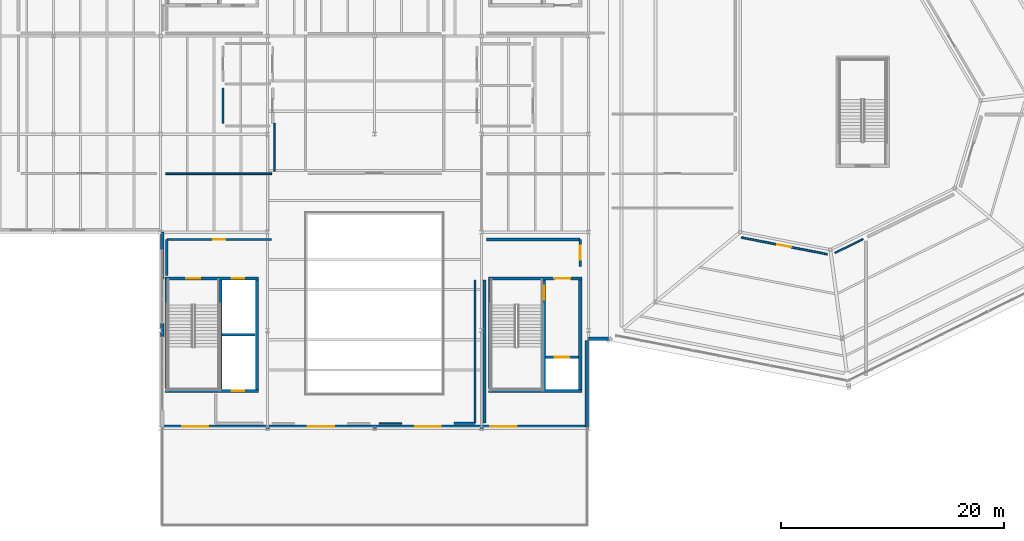
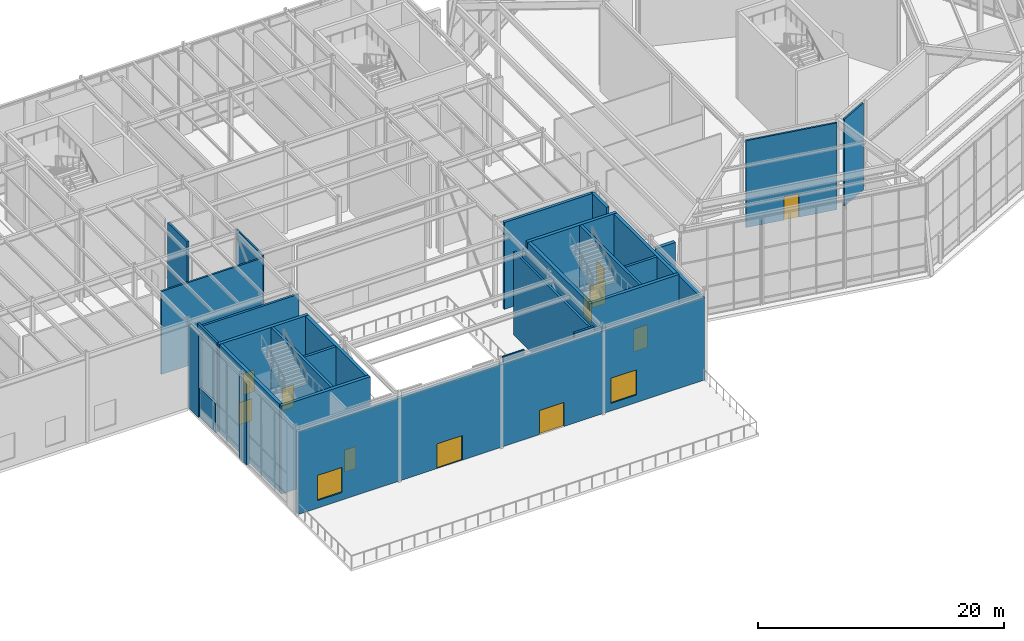
# One storey, part 36 of 48: 31 walls, 11 doors, 2 windows, 13 openings.
"""IFC4 building model written with IfcOpenShell, lengths in metres."""

from ifc_helpers import new_model, si_unit, direction, frame, frame_2d, origin, place, context, subcontext, project, spatial, rectangle, extrude, material, layer, layer_set, type_object, element, fill, save


model = new_model("IFC4")

# Units and contexts
model_context = context("Model", 3, precision=1e-05, world=origin(), true_north=direction((0.0, 1.0)))
body_context = subcontext(model_context, "Body", "Model", "MODEL_VIEW")
ifc_project = project(units=[si_unit("LENGTHUNIT", "METRE"), si_unit("AREAUNIT", "SQUARE_METRE"), si_unit("VOLUMEUNIT", "CUBIC_METRE"), si_unit("PLANEANGLEUNIT", "RADIAN"), si_unit("MASSUNIT", "GRAM", prefix="KILO")], contexts=[model_context])

# Site, building, storey
site_placement = place(None, origin())
site = spatial("IfcSite", under=ifc_project, at=site_placement, CompositionType="ELEMENT")
building_placement = place(site_placement, origin())
building = spatial("IfcBuilding", under=site, at=building_placement, Name="Sarnbrook Museum", CompositionType="ELEMENT")
storey_placement = place(building_placement, frame((0.0, 0.0, 19.10009765625)))
storey = spatial("IfcBuildingStorey", under=building, at=storey_placement, Name="L04", CompositionType="ELEMENT", Elevation=19.10009765625)

# Wall
ifc_material_1 = material(Name="Concrete N50 (AS 3600, f'c = 50 MPa)", Category="concrete")
ifc_layer_1 = layer(ifc_material_1, 0.300048828125)
ifc_layer_set_1 = layer_set([ifc_layer_1], Name="Concrete N50 (AS 3600, f'c = 50 MPa)")
wall_type_1 = type_object("IfcWallType", Name="CoreWall_CWRC", PredefinedType="SHEAR", material=ifc_layer_set_1)
wall_1_placement = place(storey_placement, frame((110.199951171875, 60.14990234375, 0.0), z_axis=(0.0, 0.0, 1.0), x_axis=(1.0, 0.0, 0.0)))
element("IfcWall", 1, at=wall_1_placement, inside=storey, type_object=wall_type_1, Name="Core C1 Shear Wall S L04", PredefinedType="SHEAR", context=body_context, shape_type="SweptSolid", body=[
    extrude(rectangle(XDim=8.400146484375, YDim=0.300048828125, at=frame_2d((4.2001953125, 0.0))), origin(), (0.0, 0.0, 1.0), 8.744873046875),
])

# Wall, opening, door
wall_2_placement = place(storey_placement, frame((118.60009765625, 70.25, 0.0), z_axis=(0.0, 0.0, 1.0), x_axis=(-1.0, 0.0, 0.0)))
wall_2 = element("IfcWall", 2, at=wall_2_placement, inside=storey, type_object=wall_type_1, Name="Core C1 Shear Wall N L04", PredefinedType="SHEAR", context=body_context, shape_type="SweptSolid", body=[
    extrude(rectangle(XDim=8.400146484375, YDim=0.300048828125, at=frame_2d((4.2001953125, 0.0))), origin(), (0.0, 0.0, 1.0), 8.744873046875),
])
opening_1_placement = place(wall_2_placement, frame((1.02490234375, 0.0, 0.0)))
opening_1 = element("IfcOpeningElement", 3, at=opening_1_placement, cuts=wall_2, Name="Opening D-LOB-C1-L04", PredefinedType="OPENING", context=body_context, shape_type="SweptSolid", body=[
    extrude(rectangle(XDim=1.449951171875, YDim=2.25, at=frame_2d((0.72509765625, 1.125))), frame((0.0, 0.16015625, 0.0), z_axis=(0.0, -1.0, 0.0), x_axis=(1.0, 0.0, 0.0)), (0.0, 0.0, 1.0), 0.320068359375),
])
ifc_material_2 = material(Name="Tasmanian Oak Acoustic Timber", Category="wood")
door_type_1 = type_object("IfcDoorType", Name="FireDoor_FD120W", OperationType="NOTDEFINED", PredefinedType="DOOR", material=ifc_material_2)
door_1_placement = place(opening_1_placement, origin())
door_1 = element("IfcDoor", 4, at=door_1_placement, inside=storey, type_object=door_type_1, Name="Core C1 Fire Lobby Entry Door L04", OperationType="SINGLE_SWING_RIGHT", OverallHeight=2.25, OverallWidth=1.449951171875, PredefinedType="DOOR", context=body_context, shape_type="SweptSolid", body=[
    extrude(rectangle(XDim=1.449951171875, YDim=2.25, at=frame_2d((0.72509765625, 1.125))), frame((0.0, 0.02490234375, 0.0), z_axis=(0.0, -1.0, 0.0), x_axis=(1.0, 0.0, 0.0)), (0.0, 0.0, 1.0), 0.050048828125),
])
fill(opening_1, door_1)

# Walls
for number, where, z_axis, x_axis, name in (
    (5, (118.449951171875, 60.31005859375, 0.0), (0.0, 0.0, 1.0), (0.0, 1.0, 0.0), "Core C1 Shear Wall E L04"),
    (6, (110.35009765625, 70.090087890625, 0.0), (0.0, 0.0, 1.0), (0.0, -1.0, 0.0), "Core C1 Shear Wall W L04"),
):
    element("IfcWall", number, at=place(storey_placement, frame(where, z_axis=z_axis, x_axis=x_axis)), inside=storey, type_object=wall_type_1, Name=name, PredefinedType="SHEAR", context=body_context, shape_type="SweptSolid", body=[
        extrude(rectangle(XDim=9.780029296875, YDim=0.300048828125, at=frame_2d((4.89013671875, 0.0))), origin(), (0.0, 0.0, 1.0), 8.744873046875),
    ])

# Wall, opening, door
wall_3_placement = place(storey_placement, frame((81.199951171875, 60.14990234375, 0.0), z_axis=(0.0, 0.0, 1.0), x_axis=(1.0, 0.0, 0.0)))
wall_3 = element("IfcWall", 7, at=wall_3_placement, inside=storey, type_object=wall_type_1, Name="Core C3 Shear Wall S L04", PredefinedType="SHEAR", context=body_context, shape_type="SweptSolid", body=[
    extrude(rectangle(XDim=8.400146484375, YDim=0.300048828125, at=frame_2d((4.2001953125, 0.0))), origin(), (0.0, 0.0, 1.0), 8.744873046875),
])
opening_2_placement = place(wall_3_placement, frame((6.0, 0.0, 0.0)))
opening_2 = element("IfcOpeningElement", 8, at=opening_2_placement, cuts=wall_3, Name="Opening LD-PL1-L04", PredefinedType="OPENING", context=body_context, shape_type="SweptSolid", body=[
    extrude(rectangle(XDim=1.10009765625, YDim=2.199951171875, at=frame_2d((0.550048828125, 1.10009765625))), frame((0.0, 0.16015625, 0.0), z_axis=(0.0, -1.0, 0.0), x_axis=(1.0, 0.0, 0.0)), (0.0, 0.0, 1.0), 0.320068359375),
])
ifc_material_3 = material(Name="Brushed Stainless Steel Grade 316", Category="steel")
door_type_2 = type_object("IfcDoorType", Name="LiftDoor_Pax110", OperationType="DOUBLE_DOOR_SLIDING", PredefinedType="DOOR", material=ifc_material_3)
door_2_placement = place(opening_2_placement, origin())
door_2 = element("IfcDoor", 9, at=door_2_placement, inside=storey, type_object=door_type_2, Name="Lift Landing Sliding Door LD-PL1-L04", OperationType="DOUBLE_DOOR_SLIDING", OverallHeight=2.199951171875, OverallWidth=1.10009765625, PredefinedType="DOOR", context=body_context, shape_type="SweptSolid", body=[
    extrude(rectangle(XDim=1.10009765625, YDim=2.199951171875, at=frame_2d((0.550048828125, 1.10009765625))), frame((0.0, 0.02490234375, 0.0), z_axis=(0.0, -1.0, 0.0), x_axis=(1.0, 0.0, 0.0)), (0.0, 0.0, 1.0), 0.050048828125),
])
fill(opening_2, door_2)

# Wall, openings, doors
wall_4_placement = place(storey_placement, frame((89.60009765625, 70.25, 0.0), z_axis=(0.0, 0.0, 1.0), x_axis=(-1.0, 0.0, 0.0)))
wall_4 = element("IfcWall", 10, at=wall_4_placement, inside=storey, type_object=wall_type_1, Name="Core C3 Shear Wall N L04", PredefinedType="SHEAR", context=body_context, shape_type="SweptSolid", body=[
    extrude(rectangle(XDim=8.400146484375, YDim=0.300048828125, at=frame_2d((4.2001953125, 0.0))), origin(), (0.0, 0.0, 1.0), 8.744873046875),
])
opening_3_placement = place(wall_4_placement, frame((5.22509765625, 0.0, 0.0)))
opening_3 = element("IfcOpeningElement", 11, at=opening_3_placement, cuts=wall_4, Name="Opening D-ST-ST3-L04", PredefinedType="OPENING", context=body_context, shape_type="SweptSolid", body=[
    extrude(rectangle(XDim=1.25, YDim=2.199951171875, at=frame_2d((0.625, 1.10009765625))), frame((0.0, 0.16015625, 0.0), z_axis=(0.0, -1.0, 0.0), x_axis=(1.0, 0.0, 0.0)), (0.0, 0.0, 1.0), 0.320068359375),
])
opening_4_placement = place(wall_4_placement, frame((1.300048828125, 0.0, 0.0)))
opening_4 = element("IfcOpeningElement", 12, at=opening_4_placement, cuts=wall_4, Name="Opening LD-PL2-L04", PredefinedType="OPENING", context=body_context, shape_type="SweptSolid", body=[
    extrude(rectangle(XDim=1.10009765625, YDim=2.199951171875, at=frame_2d((0.550048828125, 1.10009765625))), frame((0.0, 0.16015625, 0.0), z_axis=(0.0, -1.0, 0.0), x_axis=(1.0, 0.0, 0.0)), (0.0, 0.0, 1.0), 0.320068359375),
])
door_type_3 = type_object("IfcDoorType", Name="FireDoor_FD120", OperationType="NOTDEFINED", PredefinedType="DOOR", material=ifc_material_2)
door_3_placement = place(opening_3_placement, origin())
door_3 = element("IfcDoor", 13, at=door_3_placement, inside=storey, type_object=door_type_3, Name="Exit Stair ST3 Fire Door L04", OperationType="SINGLE_SWING_LEFT", OverallHeight=2.199951171875, OverallWidth=1.25, PredefinedType="DOOR", context=body_context, shape_type="SweptSolid", body=[
    extrude(rectangle(XDim=1.25, YDim=2.199951171875, at=frame_2d((0.625, 1.10009765625))), frame((0.0, 0.02490234375, 0.0), z_axis=(0.0, -1.0, 0.0), x_axis=(1.0, 0.0, 0.0)), (0.0, 0.0, 1.0), 0.050048828125),
])
fill(opening_3, door_3)
door_4_placement = place(opening_4_placement, origin())
door_4 = element("IfcDoor", 14, at=door_4_placement, inside=storey, type_object=door_type_2, Name="Lift Landing Sliding Door LD-PL2-L04", OperationType="DOUBLE_DOOR_SLIDING", OverallHeight=2.199951171875, OverallWidth=1.10009765625, PredefinedType="DOOR", context=body_context, shape_type="SweptSolid", body=[
    extrude(rectangle(XDim=1.10009765625, YDim=2.199951171875, at=frame_2d((0.550048828125, 1.10009765625))), frame((0.0, 0.02490234375, 0.0), z_axis=(0.0, -1.0, 0.0), x_axis=(1.0, 0.0, 0.0)), (0.0, 0.0, 1.0), 0.050048828125),
])
fill(opening_4, door_4)

# Walls
for number, where, z_axis, x_axis, name in (
    (15, (89.449951171875, 60.31005859375, 0.0), (0.0, 0.0, 1.0), (0.0, 1.0, 0.0), "Core C3 Shear Wall E L04"),
    (16, (81.35009765625, 70.090087890625, 0.0), (0.0, 0.0, 1.0), (0.0, -1.0, 0.0), "Core C3 Shear Wall W L04"),
):
    element("IfcWall", number, at=place(storey_placement, frame(where, z_axis=z_axis, x_axis=x_axis)), inside=storey, type_object=wall_type_1, Name=name, PredefinedType="SHEAR", context=body_context, shape_type="SweptSolid", body=[
        extrude(rectangle(XDim=9.780029296875, YDim=0.300048828125, at=frame_2d((4.89013671875, 0.0))), origin(), (0.0, 0.0, 1.0), 8.744873046875),
    ])

# Wall, opening, door
ifc_material_4 = material(Name="Concrete N40 (AS 3600, f'c = 40 MPa)", Category="concrete")
ifc_layer_2 = layer(ifc_material_4, 0.260009765625)
ifc_layer_set_2 = layer_set([ifc_layer_2], Name="Concrete N40 (AS 3600, f'c = 40 MPa)")
wall_type_2 = type_object("IfcWallType", Name="FireWall_FW240", PredefinedType="SOLIDWALL", material=ifc_layer_set_2)
wall_5_placement = place(storey_placement, frame((118.449951171875, 71.342041015625, 0.0), z_axis=(0.0, 0.0, 1.0), x_axis=(0.0, 1.0, 0.0)))
wall_5 = element("IfcWall", 17, at=wall_5_placement, inside=storey, type_object=wall_type_2, Name="Interior Partition Wall L04-0779", PredefinedType="SOLIDWALL", context=body_context, shape_type="SweptSolid", body=[
    extrude(rectangle(XDim=2.39794921875, YDim=0.260009765625, at=frame_2d((1.198974609375, 0.0))), origin(), (0.0, 0.0, 1.0), 8.6298828125),
])
opening_5_placement = place(wall_5_placement, frame((0.573974609375, 0.0, 0.0)))
opening_5 = element("IfcOpeningElement", 18, at=opening_5_placement, cuts=wall_5, Name="Opening D-L04-220", PredefinedType="OPENING", context=body_context, shape_type="SweptSolid", body=[
    extrude(rectangle(XDim=1.25, YDim=2.199951171875, at=frame_2d((0.625, 1.10009765625))), frame((0.0, 0.14013671875, 0.0), z_axis=(0.0, -1.0, 0.0), x_axis=(1.0, 0.0, 0.0)), (0.0, 0.0, 1.0), 0.280029296875),
])
door_5_placement = place(opening_5_placement, origin())
door_5 = element("IfcDoor", 19, at=door_5_placement, inside=storey, type_object=door_type_3, Name="Archival Rare Specimen Study L04-9 Door D-L04-220", OperationType="SINGLE_SWING_RIGHT", OverallHeight=2.199951171875, OverallWidth=1.25, PredefinedType="DOOR", context=body_context, shape_type="SweptSolid", body=[
    extrude(rectangle(XDim=1.25, YDim=2.199951171875, at=frame_2d((0.625, 1.10009765625))), frame((0.0, 0.02490234375, 0.0), z_axis=(0.0, -1.0, 0.0), x_axis=(1.0, 0.0, 0.0)), (0.0, 0.0, 1.0), 0.050048828125),
])
fill(opening_5, door_5)

# Walls
wall_6_placement = place(storey_placement, frame((118.43994140625, 73.75, 0.0), z_axis=(0.0, 0.0, 1.0), x_axis=(-1.0, 0.0, 0.0)))
element("IfcWall", 20, at=wall_6_placement, inside=storey, type_object=wall_type_2, Name="Interior Partition Wall L04-0780", PredefinedType="SOLIDWALL", context=body_context, shape_type="SweptSolid", body=[
    extrude(rectangle(XDim=8.389892578125, YDim=0.260009765625, at=frame_2d((4.19482421875, 0.0))), origin(), (0.0, 0.0, 1.0), 8.6298828125),
])
wall_7_placement = place(storey_placement, frame((109.860107421875, 70.1201171875, 0.0), z_axis=(0.0, 0.0, 1.0), x_axis=(0.0, -1.0, 0.0)))
element("IfcWall", 21, at=wall_7_placement, inside=storey, type_object=wall_type_2, Name="Interior Partition Wall L04-0798", PredefinedType="SOLIDWALL", context=body_context, shape_type="SweptSolid", body=[
    extrude(rectangle(XDim=12.840087890625, YDim=0.260009765625, at=frame_2d((6.419921875, 0.0))), origin(), (0.0, 0.0, 1.0), 8.262939453125),
])
ifc_material_5 = material(Name="Fire-Rated Acoustic Gypsum Plasterboard")
ifc_layer_3 = layer(ifc_material_5, 0.1201171875)
ifc_layer_set_3 = layer_set([ifc_layer_3], Name="Fire-Rated Acoustic Gypsum Plasterboard")
wall_type_3 = type_object("IfcWallType", Name="PartWall_P120", PredefinedType="PARTITIONING", material=ifc_layer_set_3)
wall_8_placement = place(storey_placement, frame((100.417724609375, 57.25, 0.0), z_axis=(0.0, 0.0, 1.0), x_axis=(1.0, 0.0, 0.0)))
element("IfcWall", 22, at=wall_8_placement, inside=storey, type_object=wall_type_3, Name="Interior Partition Wall L04-0762", PredefinedType="PARTITIONING", context=body_context, shape_type="SweptSolid", body=[
    extrude(rectangle(XDim=2.0400390625, YDim=0.1201171875, at=frame_2d((1.02001953125, 0.0))), origin(), (0.0, 0.0, 1.0), 8.6298828125),
])
ifc_layer_4 = layer(ifc_material_5, 0.135009765625)
ifc_layer_set_4 = layer_set([ifc_layer_4], Name="Fire-Rated Acoustic Gypsum Plasterboard")
wall_type_4 = type_object("IfcWallType", Name="PartWall_P135", PredefinedType="PARTITIONING", material=ifc_layer_set_4)
wall_9_placement = place(storey_placement, frame((91.0, 84.169921875, 0.0), z_axis=(0.0, 0.0, 1.0), x_axis=(0.0, -1.0, 0.0)))
element("IfcWall", 23, at=wall_9_placement, inside=storey, type_object=wall_type_4, Name="Interior Partition Wall L04-0768", PredefinedType="PARTITIONING", context=body_context, shape_type="SweptSolid", body=[
    extrude(rectangle(XDim=4.2900390625, YDim=0.135009765625, at=frame_2d((2.14501953125, 0.0))), origin(), (0.0, 0.0, 1.0), 8.264404296875),
])
ifc_layer_5 = layer(ifc_material_5, 0.14990234375)
ifc_layer_set_5 = layer_set([ifc_layer_5], Name="Fire-Rated Acoustic Gypsum Plasterboard")
wall_type_5 = type_object("IfcWallType", Name="PartWall_P150", PredefinedType="PARTITIONING", material=ifc_layer_set_5)
wall_10_placement = place(storey_placement, frame((141.314697265625, 72.538330078125, 0.0), z_axis=(0.0, 0.0, 1.0), x_axis=(0.896183793506, 0.443683004247, 0.0)))
element("IfcWall", 24, at=wall_10_placement, inside=storey, type_object=wall_type_5, Name="Interior Partition Wall L04-0746", PredefinedType="PARTITIONING", context=body_context, shape_type="SweptSolid", body=[
    extrude(rectangle(XDim=2.79638671875, YDim=0.14990234375, at=frame_2d((1.398193359375, 0.0))), origin(), (0.0, 0.0, 1.0), 8.6298828125),
])

# Wall, opening, door
ifc_layer_6 = layer(ifc_material_5, 0.1650390625)
ifc_layer_set_6 = layer_set([ifc_layer_6], Name="Fire-Rated Acoustic Gypsum Plasterboard")
wall_type_6 = type_object("IfcWallType", Name="PartWall_P165", PredefinedType="PARTITIONING", material=ifc_layer_set_6)
wall_11_placement = place(storey_placement, frame((132.902099609375, 73.9267578125, 0.0), z_axis=(0.0, 0.0, 1.0), x_axis=(0.98152920164, -0.191312378918, 0.0)))
wall_11 = element("IfcWall", 25, at=wall_11_placement, inside=storey, type_object=wall_type_6, Name="Interior Partition Wall L04-0745", PredefinedType="PARTITIONING", context=body_context, shape_type="SweptSolid", body=[
    extrude(rectangle(XDim=7.85205078125, YDim=0.1650390625, at=frame_2d((3.926025390625, 0.0))), origin(), (0.0, 0.0, 1.0), 8.6298828125),
])
opening_6_placement = place(wall_11_placement, frame((3.296142578125, 0.0, 0.0)))
opening_6 = element("IfcOpeningElement", 26, at=opening_6_placement, cuts=wall_11, Name="Opening D-L04-213", PredefinedType="OPENING", context=body_context, shape_type="SweptSolid", body=[
    extrude(rectangle(XDim=1.260009765625, YDim=2.340087890625, at=frame_2d((0.6298828125, 1.169921875))), frame((0.0, 0.092529296875, 0.0), z_axis=(0.0, -1.0, 0.0), x_axis=(1.0, 0.0, 0.0)), (0.0, 0.0, 1.0), 0.18505859375),
])
door_type_4 = type_object("IfcDoorType", Name="IntDoor_DT23", OperationType="NOTDEFINED", PredefinedType="DOOR", material=ifc_material_2)
door_6_placement = place(opening_6_placement, origin())
door_6 = element("IfcDoor", 27, at=door_6_placement, inside=storey, type_object=door_type_4, Name="Climate & Anthropocene Exhibition L04-1 Door D-L04-213", OperationType="SINGLE_SWING_RIGHT", OverallHeight=2.340087890625, OverallWidth=1.260009765625, PredefinedType="DOOR", context=body_context, shape_type="SweptSolid", body=[
    extrude(rectangle(XDim=1.260009765625, YDim=2.340087890625, at=frame_2d((0.6298828125, 1.169921875))), frame((0.0, 0.02490234375, 0.0), z_axis=(0.0, -1.0, 0.0), x_axis=(1.0, 0.0, 0.0)), (0.0, 0.0, 1.0), 0.050048828125),
])
fill(opening_6, door_6)

# Walls
wall_12_placement = place(storey_placement, frame((90.77001953125, 79.64990234375, 0.0), z_axis=(0.0, 0.0, 1.0), x_axis=(-1.0, 0.0, 0.0)))
element("IfcWall", 28, at=wall_12_placement, inside=storey, type_object=wall_type_6, Name="Interior Partition Wall L04-0766", PredefinedType="PARTITIONING", context=body_context, shape_type="SweptSolid", body=[
    extrude(rectangle(XDim=9.52001953125, YDim=0.1650390625, at=frame_2d((4.760009765625, 0.0))), origin(), (0.0, 0.0, 1.0), 8.262939453125),
])
ifc_layer_7 = layer(ifc_material_5, 0.179931640625)
ifc_layer_set_7 = layer_set([ifc_layer_7], Name="Fire-Rated Acoustic Gypsum Plasterboard")
wall_type_7 = type_object("IfcWallType", Name="PartWall_P180", PredefinedType="PARTITIONING", material=ifc_layer_set_7)
wall_13_placement = place(storey_placement, frame((86.389892578125, 84.169921875, 0.0), z_axis=(0.0, 0.0, 1.0), x_axis=(0.0, 1.0, 0.0)))
element("IfcWall", 29, at=wall_13_placement, inside=storey, type_object=wall_type_7, Name="Interior Partition Wall L04-0744", PredefinedType="PARTITIONING", context=body_context, shape_type="SweptSolid", body=[
    extrude(rectangle(XDim=3.16015625, YDim=0.179931640625, at=frame_2d((1.580078125, 0.0))), origin(), (0.0, 0.0, 1.0), 8.6298828125),
])
wall_14_placement = place(storey_placement, frame((81.02001953125, 70.199951171875, 0.0), z_axis=(0.0, 0.0, 1.0), x_axis=(0.0, 1.0, 0.0)))
element("IfcWall", 30, at=wall_14_placement, inside=storey, type_object=wall_type_7, Name="Interior Partition Wall L04-0765", PredefinedType="PARTITIONING", context=body_context, shape_type="SweptSolid", body=[
    extrude(rectangle(XDim=2.60009765625, YDim=0.179931640625, at=frame_2d((1.300048828125, 0.0))), origin(), (0.0, 0.0, 1.0), 2.89990234375),
])
ifc_layer_8 = layer(ifc_material_5, 0.195068359375)
ifc_layer_set_8 = layer_set([ifc_layer_8], Name="Fire-Rated Acoustic Gypsum Plasterboard")
wall_type_8 = type_object("IfcWallType", Name="PartWall_P195", PredefinedType="PARTITIONING", material=ifc_layer_set_8)
wall_15_placement = place(storey_placement, frame((81.35009765625, 73.739990234375, 0.0), z_axis=(0.0, 0.0, 1.0), x_axis=(0.0, -1.0, 0.0)))
element("IfcWall", 31, at=wall_15_placement, inside=storey, type_object=wall_type_8, Name="Interior Partition Wall L04-0757", PredefinedType="PARTITIONING", context=body_context, shape_type="SweptSolid", body=[
    extrude(rectangle(XDim=3.219970703125, YDim=0.195068359375, at=frame_2d((1.60986328125, 0.0))), origin(), (0.0, 0.0, 1.0), 8.6298828125),
])
wall_16_placement = place(storey_placement, frame((109.0, 57.260009765625, 0.0), z_axis=(0.0, 0.0, 1.0), x_axis=(0.0, 1.0, 0.0)))
element("IfcWall", 32, at=wall_16_placement, inside=storey, type_object=wall_type_8, Name="Interior Partition Wall L04-0764", PredefinedType="PARTITIONING", context=body_context, shape_type="SweptSolid", body=[
    extrude(rectangle(XDim=12.860107421875, YDim=0.195068359375, at=frame_2d((6.43017578125, 0.0))), origin(), (0.0, 0.0, 1.0), 8.264404296875),
])

# Wall, opening, door
ifc_layer_9 = layer(ifc_material_5, 0.2099609375)
ifc_layer_set_9 = layer_set([ifc_layer_9], Name="Fire-Rated Acoustic Gypsum Plasterboard")
wall_type_9 = type_object("IfcWallType", Name="PartWall_P210", PredefinedType="PARTITIONING", material=ifc_layer_set_9)
wall_17_placement = place(storey_placement, frame((90.77001953125, 73.75, 0.0), z_axis=(0.0, 0.0, 1.0), x_axis=(-1.0, 0.0, 0.0)))
wall_17 = element("IfcWall", 33, at=wall_17_placement, inside=storey, type_object=wall_type_9, Name="Interior Partition Wall L04-0756", PredefinedType="PARTITIONING", context=body_context, shape_type="SweptSolid", body=[
    extrude(rectangle(XDim=9.409912109375, YDim=0.2099609375, at=frame_2d((4.705078125, 0.0))), origin(), (0.0, 0.0, 1.0), 8.262939453125),
])
opening_7_placement = place(wall_17_placement, frame((4.179931640625, 0.0, 0.0)))
opening_7 = element("IfcOpeningElement", 34, at=opening_7_placement, cuts=wall_17, Name="Opening D-L04-217", PredefinedType="OPENING", context=body_context, shape_type="SweptSolid", body=[
    extrude(rectangle(XDim=1.050048828125, YDim=2.14990234375, at=frame_2d((0.52490234375, 1.074951171875))), frame((0.0, 0.114990234375, 0.0), z_axis=(0.0, -1.0, 0.0), x_axis=(1.0, 0.0, 0.0)), (0.0, 0.0, 1.0), 0.22998046875),
])
door_type_5 = type_object("IfcDoorType", Name="FireDoor_FD60", OperationType="NOTDEFINED", PredefinedType="DOOR", material=ifc_material_2)
door_7_placement = place(opening_7_placement, frame((1.050048828125, 0.0, 0.0), z_axis=(0.0, 0.0, 1.0), x_axis=(-1.0, 0.0, 0.0)))
door_7 = element("IfcDoor", 35, at=door_7_placement, inside=storey, type_object=door_type_5, Name="Museum Board & Symposium Room L04-5 Door D-L04-217", OperationType="SINGLE_SWING_LEFT", OverallHeight=2.14990234375, OverallWidth=1.050048828125, PredefinedType="DOOR", context=body_context, shape_type="SweptSolid", body=[
    extrude(rectangle(XDim=1.050048828125, YDim=2.14990234375, at=frame_2d((0.52490234375, 1.074951171875))), frame((0.0, 0.02490234375, 0.0), z_axis=(0.0, -1.0, 0.0), x_axis=(1.0, 0.0, 0.0)), (0.0, 0.0, 1.0), 0.050048828125),
])
fill(opening_7, door_7)

# Wall
wall_18_placement = place(storey_placement, frame((107.142333984375, 57.25, 0.0), z_axis=(0.0, 0.0, 1.0), x_axis=(1.0, 0.0, 0.0)))
element("IfcWall", 36, at=wall_18_placement, inside=storey, type_object=wall_type_9, Name="Interior Partition Wall L04-0763", PredefinedType="PARTITIONING", context=body_context, shape_type="SweptSolid", body=[
    extrude(rectangle(XDim=1.84765625, YDim=0.2099609375, at=frame_2d((0.923828125, 0.0))), origin(), (0.0, 0.0, 1.0), 8.6298828125),
])

# Wall, opening, door
ifc_layer_10 = layer(ifc_material_4, 0.239990234375)
ifc_layer_set_10 = layer_set([ifc_layer_10], Name="Concrete N40 (AS 3600, f'c = 40 MPa)")
wall_type_10 = type_object("IfcWallType", Name="ShaftWall_SWRC", PredefinedType="SOLIDWALL", material=ifc_layer_set_10)
wall_19_placement = place(storey_placement, frame((115.18994140625, 60.31005859375, 0.0), z_axis=(0.0, 0.0, 1.0), x_axis=(0.0, 1.0, 0.0)))
wall_19 = element("IfcWall", 37, at=wall_19_placement, inside=storey, type_object=wall_type_10, Name="Stairwell ST1 Fire Shaft Wall L04", PredefinedType="SOLIDWALL", context=body_context, shape_type="SweptSolid", body=[
    extrude(rectangle(XDim=9.780029296875, YDim=0.239990234375, at=frame_2d((4.89013671875, 0.0))), origin(), (0.0, 0.0, 1.0), 8.744873046875),
])
opening_8_placement = place(wall_19_placement, frame((8.014892578125, 0.0, 0.0)))
opening_8 = element("IfcOpeningElement", 38, at=opening_8_placement, cuts=wall_19, Name="Opening D-ST-ST1-L04", PredefinedType="OPENING", context=body_context, shape_type="SweptSolid", body=[
    extrude(rectangle(XDim=1.25, YDim=2.199951171875, at=frame_2d((0.625, 1.10009765625))), frame((0.0, 0.1298828125, 0.0), z_axis=(0.0, -1.0, 0.0), x_axis=(1.0, 0.0, 0.0)), (0.0, 0.0, 1.0), 0.260009765625),
])
door_8_placement = place(opening_8_placement, origin())
door_8 = element("IfcDoor", 39, at=door_8_placement, inside=storey, type_object=door_type_3, Name="Exit Stair ST1 Fire Door L04", OperationType="SINGLE_SWING_LEFT", OverallHeight=2.199951171875, OverallWidth=1.25, PredefinedType="DOOR", context=body_context, shape_type="SweptSolid", body=[
    extrude(rectangle(XDim=1.25, YDim=2.199951171875, at=frame_2d((0.625, 1.10009765625))), frame((0.0, 0.02490234375, 0.0), z_axis=(0.0, -1.0, 0.0), x_axis=(1.0, 0.0, 0.0)), (0.0, 0.0, 1.0), 0.050048828125),
])
fill(opening_8, door_8)

wall_20_placement = place(storey_placement, frame((115.320068359375, 63.179931640625, 0.0), z_axis=(0.0, 0.0, 1.0), x_axis=(1.0, 0.0, 0.0)))
wall_20 = element("IfcWall", 40, at=wall_20_placement, inside=storey, type_object=wall_type_10, Name="Lift EL1 Shaft Front Wall L04", PredefinedType="SOLIDWALL", context=body_context, shape_type="SweptSolid", body=[
    extrude(rectangle(XDim=2.969970703125, YDim=0.239990234375, at=frame_2d((1.48486328125, 0.0))), origin(), (0.0, 0.0, 1.0), 8.744873046875),
])
opening_9_placement = place(wall_20_placement, frame((0.8349609375, 0.0, 0.0)))
opening_9 = element("IfcOpeningElement", 41, at=opening_9_placement, cuts=wall_20, Name="Opening LD-EL1-L04", PredefinedType="OPENING", context=body_context, shape_type="SweptSolid", body=[
    extrude(rectangle(XDim=1.300048828125, YDim=2.25, at=frame_2d((0.64990234375, 1.125))), frame((0.0, 0.1298828125, 0.0), z_axis=(0.0, -1.0, 0.0), x_axis=(1.0, 0.0, 0.0)), (0.0, 0.0, 1.0), 0.260009765625),
])
door_type_6 = type_object("IfcDoorType", Name="LiftDoor_FF130", OperationType="DOUBLE_DOOR_SLIDING", PredefinedType="DOOR", material=ifc_material_3)
door_9_placement = place(opening_9_placement, origin())
door_9 = element("IfcDoor", 42, at=door_9_placement, inside=storey, type_object=door_type_6, Name="Lift Landing Sliding Door LD-EL1-L04", OperationType="DOUBLE_DOOR_SLIDING", OverallHeight=2.25, OverallWidth=1.300048828125, PredefinedType="DOOR", context=body_context, shape_type="SweptSolid", body=[
    extrude(rectangle(XDim=1.300048828125, YDim=2.25, at=frame_2d((0.64990234375, 1.125))), frame((0.0, 0.02490234375, 0.0), z_axis=(0.0, -1.0, 0.0), x_axis=(1.0, 0.0, 0.0)), (0.0, 0.0, 1.0), 0.050048828125),
])
fill(opening_9, door_9)

# Walls
wall_21_placement = place(storey_placement, frame((86.18994140625, 60.31005859375, 0.0), z_axis=(0.0, 0.0, 1.0), x_axis=(0.0, 1.0, 0.0)))
element("IfcWall", 43, at=wall_21_placement, inside=storey, type_object=wall_type_10, Name="Stairwell ST3 Fire Shaft Wall L04", PredefinedType="SOLIDWALL", context=body_context, shape_type="SweptSolid", body=[
    extrude(rectangle(XDim=9.780029296875, YDim=0.239990234375, at=frame_2d((4.89013671875, 0.0))), origin(), (0.0, 0.0, 1.0), 8.744873046875),
])
wall_22_placement = place(storey_placement, frame((86.320068359375, 65.199951171875, 0.0), z_axis=(0.0, 0.0, 1.0), x_axis=(1.0, 0.0, 0.0)))
element("IfcWall", 44, at=wall_22_placement, inside=storey, type_object=wall_type_10, Name="Core C3 Twin Lift Divider Wall L04", PredefinedType="SOLIDWALL", context=body_context, shape_type="SweptSolid", body=[
    extrude(rectangle(XDim=2.969970703125, YDim=0.239990234375, at=frame_2d((1.48486328125, 0.0))), origin(), (0.0, 0.0, 1.0), 8.744873046875),
])
ifc_material_6 = material(Name="Victorian Bluestone Ashlar Masonry", Category="masonry")
ifc_layer_11 = layer(ifc_material_6, 0.320068359375)
ifc_layer_set_11 = layer_set([ifc_layer_11], Name="Victorian Bluestone Ashlar Masonry")
wall_type_11 = type_object("IfcWallType", Name="Wall_LimestoneSpandrel320", PredefinedType="STANDARD", material=ifc_layer_set_11)
wall_23_placement = place(storey_placement, frame((80.9599609375, 74.39990234375, 0.0), z_axis=(0.0, 0.0, 1.0), x_axis=(0.0, -1.0, 0.0)))
element("IfcWall", 45, at=wall_23_placement, inside=storey, type_object=wall_type_11, Name="Classical Sandstone Facade Pier L04-4.1", PredefinedType="STANDARD", context=body_context, shape_type="SweptSolid", body=[
    extrude(rectangle(XDim=1.599853515625, YDim=0.320068359375, at=frame_2d((0.7998046875, 0.0))), origin(), (0.0, 0.0, 1.0), 8.201904296875),
])
wall_24_placement = place(storey_placement, frame((80.9599609375, 66.199951171875, 0.0), z_axis=(0.0, 0.0, 1.0), x_axis=(0.0, -1.0, 0.0)))
element("IfcWall", 46, at=wall_24_placement, inside=storey, type_object=wall_type_11, Name="Classical Sandstone Facade Pier L04-4.2", PredefinedType="STANDARD", context=body_context, shape_type="SweptSolid", body=[
    extrude(rectangle(XDim=1.199951171875, YDim=0.320068359375, at=frame_2d((0.60009765625, 0.0))), origin(), (0.0, 0.0, 1.0), 8.27783203125),
])

# Wall, openings, doors, windows
wall_25_placement = place(storey_placement, frame((80.966064453125, 56.9599609375, 0.0), z_axis=(0.0, 0.0, 1.0), x_axis=(1.0, 0.0, 0.0)))
wall_25 = element("IfcWall", 47, at=wall_25_placement, inside=storey, type_object=wall_type_11, Name="Classical Sandstone Facade Wall L04-05", PredefinedType="STANDARD", context=body_context, shape_type="SweptSolid", body=[
    extrude(rectangle(XDim=38.23388671875, YDim=0.320068359375, at=frame_2d((19.116943359375, 0.0))), origin(), (0.0, 0.0, 1.0), 8.201904296875),
])
opening_10_placement = place(wall_25_placement, frame((13.033935546875, 0.0, 0.0)))
opening_10 = element("IfcOpeningElement", 48, at=opening_10_placement, cuts=wall_25, Name="Opening TD-L04-01", PredefinedType="OPENING", context=body_context, shape_type="SweptSolid", body=[
    extrude(rectangle(XDim=2.39990234375, YDim=2.449951171875, at=frame_2d((1.199951171875, 1.22509765625))), frame((0.0, 0.169921875, 0.0), z_axis=(0.0, -1.0, 0.0), x_axis=(1.0, 0.0, 0.0)), (0.0, 0.0, 1.0), 0.340087890625),
])
opening_11_placement = place(wall_25_placement, frame((22.68408203125, 0.0, 0.0)))
opening_11 = element("IfcOpeningElement", 49, at=opening_11_placement, cuts=wall_25, Name="Opening TD-L04-02", PredefinedType="OPENING", context=body_context, shape_type="SweptSolid", body=[
    extrude(rectangle(XDim=2.300048828125, YDim=2.39990234375, at=frame_2d((1.14990234375, 1.199951171875))), frame((0.0, 0.169921875, 0.0), z_axis=(0.0, -1.0, 0.0), x_axis=(1.0, 0.0, 0.0)), (0.0, 0.0, 1.0), 0.340087890625),
])
opening_12_placement = place(wall_25_placement, frame((1.800048828125, 0.0, 0.75)))
opening_12 = element("IfcOpeningElement", 50, at=opening_12_placement, cuts=wall_25, Name="Opening WT-42", PredefinedType="OPENING", context=body_context, shape_type="SweptSolid", body=[
    extrude(rectangle(XDim=2.320068359375, YDim=2.5, at=frame_2d((1.16015625, 1.25))), frame((0.0, 0.169921875, 0.0), z_axis=(0.0, -1.0, 0.0), x_axis=(1.0, 0.0, 0.0)), (0.0, 0.0, 1.0), 0.340087890625),
])
opening_13_placement = place(wall_25_placement, frame((29.39990234375, 0.0, 0.75)))
opening_13 = element("IfcOpeningElement", 51, at=opening_13_placement, cuts=wall_25, Name="Opening WT-43", PredefinedType="OPENING", context=body_context, shape_type="SweptSolid", body=[
    extrude(rectangle(XDim=2.39990234375, YDim=2.5, at=frame_2d((1.199951171875, 1.25))), frame((0.0, 0.169921875, 0.0), z_axis=(0.0, -1.0, 0.0), x_axis=(1.0, 0.0, 0.0)), (0.0, 0.0, 1.0), 0.340087890625),
])
ifc_material_7 = material(Name="Thermally Broken Anodised Aluminium 6063-T6", Category="aluminium")
door_type_7 = type_object("IfcDoorType", Name="DoorType_EDT2", OperationType="DOUBLE_DOOR_SINGLE_SWING", PredefinedType="DOOR", material=ifc_material_7)
door_10_placement = place(opening_10_placement, frame((2.39990234375, 0.0, 0.0), z_axis=(0.0, 0.0, 1.0), x_axis=(-1.0, 0.0, 0.0)))
door_10 = element("IfcDoor", 52, at=door_10_placement, inside=storey, type_object=door_type_7, Name="South Concourse Roof Garden West Door L04", OperationType="DOUBLE_DOOR_SINGLE_SWING", OverallHeight=2.449951171875, OverallWidth=2.39990234375, PredefinedType="DOOR", context=body_context, shape_type="SweptSolid", body=[
    extrude(rectangle(XDim=2.39990234375, YDim=2.449951171875, at=frame_2d((1.199951171875, 1.22509765625))), frame((0.0, 0.02490234375, 0.0), z_axis=(0.0, -1.0, 0.0), x_axis=(1.0, 0.0, 0.0)), (0.0, 0.0, 1.0), 0.050048828125),
])
fill(opening_10, door_10)
door_type_8 = type_object("IfcDoorType", Name="DoorType_EDT3", OperationType="DOUBLE_DOOR_SINGLE_SWING", PredefinedType="DOOR", material=ifc_material_3)
door_11_placement = place(opening_11_placement, frame((2.300048828125, 0.0, 0.0), z_axis=(0.0, 0.0, 1.0), x_axis=(-1.0, 0.0, 0.0)))
door_11 = element("IfcDoor", 53, at=door_11_placement, inside=storey, type_object=door_type_8, Name="South Concourse Roof Garden East Door L04", OperationType="DOUBLE_DOOR_SINGLE_SWING", OverallHeight=2.39990234375, OverallWidth=2.300048828125, PredefinedType="DOOR", context=body_context, shape_type="SweptSolid", body=[
    extrude(rectangle(XDim=2.300048828125, YDim=2.39990234375, at=frame_2d((1.14990234375, 1.199951171875))), frame((0.0, 0.02490234375, 0.0), z_axis=(0.0, -1.0, 0.0), x_axis=(1.0, 0.0, 0.0)), (0.0, 0.0, 1.0), 0.050048828125),
])
fill(opening_11, door_11)
ifc_material_8 = material(Name="Double-Glazed Low-Iron Laminated Safety Glass", Category="glass")
window_type_1 = type_object("IfcWindowType", Name="Window_Classical_WT42", PartitioningType="SINGLE_PANEL", PredefinedType="WINDOW", material=ifc_material_8)
window_1_placement = place(opening_12_placement, origin())
window_1 = element("IfcWindow", 54, at=window_1_placement, inside=storey, type_object=window_type_1, Name="Classical Bronze Casement Window WIN:L04:0130", OverallHeight=2.5, OverallWidth=2.320068359375, PartitioningType="SINGLE_PANEL", PredefinedType="WINDOW", context=body_context, shape_type="SweptSolid", body=[
    extrude(rectangle(XDim=2.320068359375, YDim=2.5, at=frame_2d((1.16015625, 1.25))), frame((0.0, 0.030029296875, 0.0), z_axis=(0.0, -1.0, 0.0), x_axis=(1.0, 0.0, 0.0)), (0.0, 0.0, 1.0), 0.06005859375),
])
fill(opening_12, window_1)
window_type_2 = type_object("IfcWindowType", Name="Window_Classical_WT43", PartitioningType="SINGLE_PANEL", PredefinedType="WINDOW", material=ifc_material_8)
window_2_placement = place(opening_13_placement, origin())
window_2 = element("IfcWindow", 55, at=window_2_placement, inside=storey, type_object=window_type_2, Name="Classical Bronze Casement Window WIN:L04:0131", OverallHeight=2.5, OverallWidth=2.39990234375, PartitioningType="SINGLE_PANEL", PredefinedType="WINDOW", context=body_context, shape_type="SweptSolid", body=[
    extrude(rectangle(XDim=2.39990234375, YDim=2.5, at=frame_2d((1.199951171875, 1.25))), frame((0.0, 0.030029296875, 0.0), z_axis=(0.0, -1.0, 0.0), x_axis=(1.0, 0.0, 0.0)), (0.0, 0.0, 1.0), 0.06005859375),
])
fill(opening_13, window_2)

# Walls
wall_26_placement = place(storey_placement, frame((119.0400390625, 56.966064453125, 0.0), z_axis=(0.0, 0.0, 1.0), x_axis=(0.0, 1.0, 0.0)))
element("IfcWall", 56, at=wall_26_placement, inside=storey, type_object=wall_type_11, Name="Classical Sandstone Facade Wall L04-06", PredefinedType="STANDARD", context=body_context, shape_type="SweptSolid", body=[
    extrude(rectangle(XDim=7.6982421875, YDim=0.320068359375, at=frame_2d((3.84912109375, 0.0))), origin(), (0.0, 0.0, 1.0), 8.201904296875),
])
wall_27_placement = place(storey_placement, frame((119.199951171875, 64.82421875, 0.0), z_axis=(0.0, 0.0, 1.0), x_axis=(1.0, 0.0, 0.0)))
element("IfcWall", 57, at=wall_27_placement, inside=storey, type_object=wall_type_11, Name="Classical Sandstone Facade Wall L04-07", PredefinedType="STANDARD", context=body_context, shape_type="SweptSolid", body=[
    extrude(rectangle(XDim=1.77734375, YDim=0.320068359375, at=frame_2d((0.888671875, 0.0))), origin(), (0.0, 0.0, 1.0), 8.27783203125),
])

save(model, "model.ifc")
